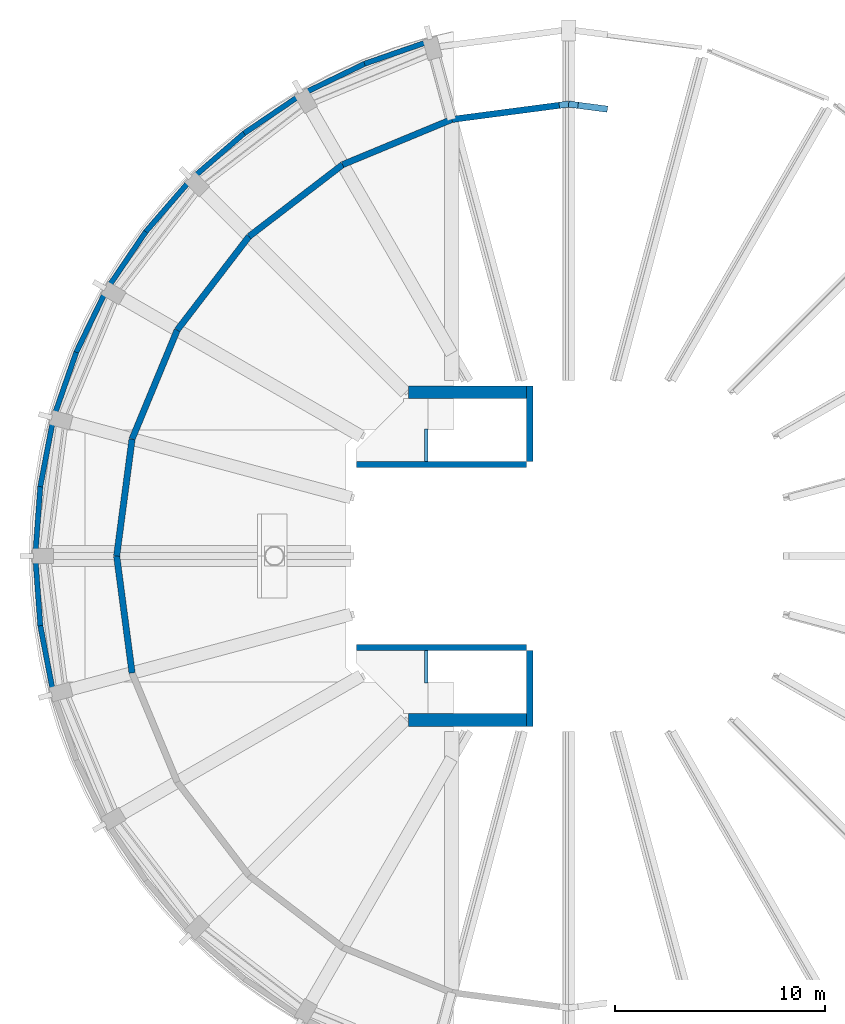
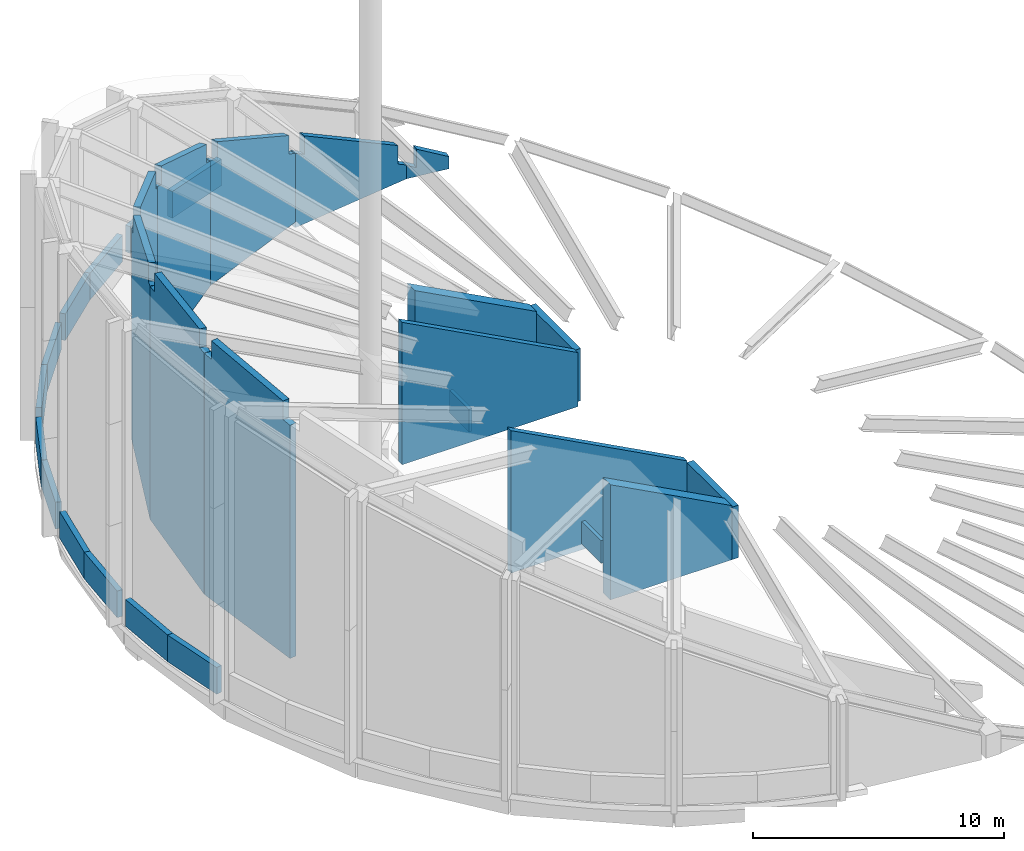
# One storey, part 3 of 4: 28 walls.
"""IFC4 building model written with IfcOpenShell, lengths in metres."""

from ifc_helpers import new_model, si_unit, direction, frame, frame_2d, origin, place, context, subcontext, project, spatial, polyline, rectangle, outline, extrude, material, layer, layer_set, type_object, element, save


model = new_model("IFC4")

# Units and contexts
model_context = context("Model", 3, precision=1e-05, world=origin(), true_north=direction((0.0, 1.0)))
body_context = subcontext(model_context, "Body", "Model", "MODEL_VIEW")
ifc_project = project(units=[si_unit("LENGTHUNIT", "METRE"), si_unit("AREAUNIT", "SQUARE_METRE"), si_unit("VOLUMEUNIT", "CUBIC_METRE"), si_unit("PLANEANGLEUNIT", "RADIAN"), si_unit("MASSUNIT", "GRAM", prefix="KILO")], contexts=[model_context])

# Site, building, storey
site_placement = place(None, origin())
site = spatial("IfcSite", under=ifc_project, at=site_placement, CompositionType="ELEMENT")
building_placement = place(site_placement, origin())
building = spatial("IfcBuilding", under=site, at=building_placement, Name="Torre Triforio", CompositionType="ELEMENT")
storey_placement = place(building_placement, frame((0.0, 0.0, 302.800048828125)))
storey = spatial("IfcBuildingStorey", under=building, at=storey_placement, Name="RF-3", CompositionType="ELEMENT", Elevation=302.800048828125)

# Walls
ifc_material_1 = material(Name="Concrete C40", Category="concrete")
ifc_layer_1 = layer(ifc_material_1, 0.300048828125)
ifc_layer_set_1 = layer_set([ifc_layer_1], Name="Concrete C40")
wall_type_1 = type_object("IfcWallType", Name="Core wall 300 mm C40 EI 120", PredefinedType="SHEAR", material=ifc_layer_set_1)
for number, where, z_axis, x_axis, name in (
    (1, (-1.85009765625, 4.5, -0.280029296875), (0.0, 0.0, 1.0), (0.0, 1.0, 0.0), "Core wall"),
    (2, (-1.85009765625, -8.10009765625, -0.280029296875), (0.0, 0.0, 1.0), (0.0, 1.0, 0.0), "Core wall"),
):
    element("IfcWall", number, at=place(storey_placement, frame(where, z_axis=z_axis, x_axis=x_axis)), inside=storey, type_object=wall_type_1, Name=name, PredefinedType="SHEAR", context=body_context, shape_type="SweptSolid", body=[
        extrude(outline(polyline([(0.0, 0.0), (3.60009765625, 0.0), (3.60009765625, 2.5556640625), (0.0, 2.5556640625), (0.0, 0.0)])), frame((0.0, 0.14990234375, 0.0), z_axis=(0.0, -1.0, 0.0), x_axis=(1.0, 0.0, 0.0)), (0.0, 0.0, 1.0), 0.300048828125),
    ])
ifc_material_2 = material(Name="Limestone cladding", Category="masonry")
ifc_layer_2 = layer(ifc_material_2, 0.080078125)
ifc_layer_3 = layer(ifc_material_1, 0.169921875)
ifc_layer_set_2 = layer_set([ifc_layer_2, ifc_layer_3], Name="Limestone cladding / Concrete C40")
wall_type_2 = type_object("IfcWallType", Name="Crown deck parapet 250", PredefinedType="PARAPET", material=ifc_layer_set_2)
for number, where, z_axis, x_axis, name in (
    (3, (-6.8701171875, 24.4033203125, 0.0), (0.0, 0.0, 1.0), (-0.944652333125, -0.328073116123, 0.0), "Crown deck parapet RF-3 bay 08.1"),
    (4, (-9.693603515625, 23.423828125, 0.0), (0.0, 0.0, 1.0), (-0.899962895244, -0.435966497777, 0.0), "Crown deck parapet RF-3 bay 08.2"),
    (5, (-12.9521484375, 21.793701171875, 0.0), (0.0, 0.0, 1.0), (-0.827586311623, -0.561338486845, 0.0), "Crown deck parapet RF-3 bay 09.1"),
):
    element("IfcWall", number, at=place(storey_placement, frame(where, z_axis=z_axis, x_axis=x_axis)), inside=storey, type_object=wall_type_2, Name=name, PredefinedType="PARAPET", context=body_context, shape_type="SweptSolid", body=[
        extrude(rectangle(XDim=3.0048828125, YDim=0.25, at=frame_2d((1.50244140625, 0.0))), origin(), (0.0, 0.0, 1.0), 1.300048828125),
    ])
for number, where, z_axis, x_axis, name in (
    (6, (-15.42578125, 20.116943359375, 0.0), (0.0, 0.0, 1.0), (-0.756433782763, -0.654070280853, 0.0), "Crown deck parapet RF-3 bay 09.2"),
    (7, (-18.1513671875, 17.698974609375, 0.0), (0.0, 0.0, 1.0), (-0.654070280853, -0.756433782763, 0.0), "Crown deck parapet RF-3 bay 10.1"),
):
    element("IfcWall", number, at=place(storey_placement, frame(where, z_axis=z_axis, x_axis=x_axis)), inside=storey, type_object=wall_type_2, Name=name, PredefinedType="PARAPET", context=body_context, shape_type="SweptSolid", body=[
        extrude(rectangle(XDim=3.005126953125, YDim=0.25, at=frame_2d((1.50244140625, 0.0))), origin(), (0.0, 0.0, 1.0), 1.300048828125),
    ])
for number, where, z_axis, x_axis, name in (
    (8, (-20.10693359375, 15.43896484375, 0.0), (0.0, 0.0, 1.0), (-0.561338486845, -0.827586311623, 0.0), "Crown deck parapet RF-3 bay 10.2"),
    (9, (-22.11376953125, 12.39794921875, 0.0), (0.0, 0.0, 1.0), (-0.435966497777, -0.899962895244, 0.0), "Crown deck parapet RF-3 bay 11.1"),
    (10, (-23.41748046875, 9.708740234375, 0.0), (0.0, 0.0, 1.0), (-0.328073116123, -0.944652333125, 0.0), "Crown deck parapet RF-3 bay 11.2"),
    (11, (-24.569091796875, 6.251953125, 0.0), (0.0, 0.0, 1.0), (-0.188172322974, -0.98213602768, 0.0), "Crown deck parapet RF-3 bay 12.1"),
):
    element("IfcWall", number, at=place(storey_placement, frame(where, z_axis=z_axis, x_axis=x_axis)), inside=storey, type_object=wall_type_2, Name=name, PredefinedType="PARAPET", context=body_context, shape_type="SweptSolid", body=[
        extrude(rectangle(XDim=3.0048828125, YDim=0.25, at=frame_2d((1.50244140625, 0.0))), origin(), (0.0, 0.0, 1.0), 1.300048828125),
    ])
for number, where, z_axis, x_axis, name in (
    (12, (-25.132568359375, 3.31689453125, 0.0), (0.0, 0.0, 1.0), (-0.072396088044, -0.997375960426, 0.0), "Crown deck parapet RF-3 bay 12.2"),
    (13, (-25.35009765625, -0.320068359375, 0.0), (0.0, 0.0, 1.0), (0.072396088044, -0.997375960426, 0.0), "Crown deck parapet RF-3 bay 13.1"),
):
    element("IfcWall", number, at=place(storey_placement, frame(where, z_axis=z_axis, x_axis=x_axis)), inside=storey, type_object=wall_type_2, Name=name, PredefinedType="PARAPET", context=body_context, shape_type="SweptSolid", body=[
        extrude(rectangle(XDim=3.004638671875, YDim=0.25, at=frame_2d((1.50244140625, 0.0))), origin(), (0.0, 0.0, 1.0), 1.300048828125),
    ])
wall_1_placement = place(storey_placement, frame((-25.134521484375, -3.30078125, 0.0), z_axis=(0.0, 0.0, 1.0), x_axis=(0.188172322974, -0.98213602768, 0.0)))
element("IfcWall", 14, at=wall_1_placement, inside=storey, type_object=wall_type_2, Name="Crown deck parapet RF-3 bay 13.2", PredefinedType="PARAPET", context=body_context, shape_type="SweptSolid", body=[
    extrude(rectangle(XDim=3.0048828125, YDim=0.25, at=frame_2d((1.50244140625, 0.0))), origin(), (0.0, 0.0, 1.0), 1.300048828125),
])
ifc_layer_4 = layer(ifc_material_1, 0.14990234375)
ifc_layer_set_3 = layer_set([ifc_layer_4], Name="Concrete C40")
wall_type_3 = type_object("IfcWallType", Name="Parapet 150 C40", PredefinedType="PARAPET", material=ifc_layer_set_3)
for number, where, z_axis, x_axis, name in (
    (15, (-6.77490234375, 4.5, 0.0), (0.0, 0.0, 1.0), (0.0, 1.0, 0.0), "Parapet ST1"),
    (16, (-6.77490234375, -6.050048828125, 0.0), (0.0, 0.0, 1.0), (0.0, 1.0, 0.0), "Parapet ST3"),
):
    element("IfcWall", number, at=place(storey_placement, frame(where, z_axis=z_axis, x_axis=x_axis)), inside=storey, type_object=wall_type_3, Name=name, PredefinedType="PARAPET", context=body_context, shape_type="SweptSolid", body=[
        extrude(rectangle(XDim=1.550048828125, YDim=0.14990234375, at=frame_2d((0.77490234375, 0.0))), origin(), (0.0, 0.0, 1.0), 1.099853515625),
    ])
ifc_layer_5 = layer(ifc_material_1, 0.300048828125)
ifc_layer_set_4 = layer_set([ifc_layer_5], Name="Concrete C40")
wall_type_4 = type_object("IfcWallType", Name="Shaft wall 300 mm C40 EI 120", PredefinedType="SOLIDWALL", material=ifc_layer_set_4)
for number, where, z_axis, x_axis, name in (
    (17, (-10.10009765625, 4.35009765625, -0.280029296875), (0.0, 0.0, 1.0), (1.0, 0.0, 0.0), "Shaft wall"),
    (18, (-10.10009765625, -4.35009765625, -0.280029296875), (0.0, 0.0, 1.0), (1.0, 0.0, 0.0), "Shaft wall"),
):
    element("IfcWall", number, at=place(storey_placement, frame(where, z_axis=z_axis, x_axis=x_axis)), inside=storey, type_object=wall_type_4, Name=name, PredefinedType="SOLIDWALL", context=body_context, shape_type="SweptSolid", body=[
        extrude(outline(polyline([(0.0, 0.0), (8.10009765625, 0.0), (8.10009765625, 2.635498046875), (0.0, 6.9423828125), (0.0, 0.0)])), frame((0.0, 0.14990234375, 0.0), z_axis=(0.0, -1.0, 0.0), x_axis=(1.0, 0.0, 0.0)), (0.0, 0.0, 1.0), 0.300048828125),
    ])
ifc_layer_6 = layer(ifc_material_1, 0.60009765625)
ifc_layer_set_5 = layer_set([ifc_layer_6], Name="Concrete C40")
wall_type_5 = type_object("IfcWallType", Name="Stair wall 600 mm C40 EI 120", PredefinedType="SHEAR", material=ifc_layer_set_5)
for number, where, z_axis, x_axis, name in (
    (19, (-7.610107421875, 7.800048828125, -0.280029296875), (0.0, 0.0, 1.0), (1.0, 0.0, 0.0), "Stair wall"),
    (20, (-7.610107421875, -7.800048828125, -0.280029296875), (0.0, 0.0, 1.0), (1.0, 0.0, 0.0), "Stair wall"),
):
    element("IfcWall", number, at=place(storey_placement, frame(where, z_axis=z_axis, x_axis=x_axis)), inside=storey, type_object=wall_type_5, Name=name, PredefinedType="SHEAR", context=body_context, shape_type="SweptSolid", body=[
        extrude(outline(polyline([(0.0, 0.0), (5.610107421875, 0.0), (5.610107421875, 2.635498046875), (0.0, 5.618408203125), (0.0, 0.0)])), frame((0.0, 0.300048828125, 0.0), z_axis=(0.0, -1.0, 0.0), x_axis=(1.0, 0.0, 0.0)), (0.0, 0.0, 1.0), 0.60009765625),
    ])
ifc_layer_7 = layer(ifc_material_2, 0.10009765625)
ifc_layer_8 = layer(ifc_material_1, 0.199951171875)
ifc_layer_set_6 = layer_set([ifc_layer_7, ifc_layer_8], Name="Limestone cladding / Concrete C40")
wall_type_6 = type_object("IfcWallType", Name="Stone-faced composite wall 300", PredefinedType="STANDARD", material=ifc_layer_set_6)
wall_2_placement = place(storey_placement, frame((-5.564697265625, 20.767333984375, 0.0), z_axis=(0.0, 0.0, 1.0), x_axis=(-0.92387156362, -0.382702670405, 0.0)))
element("IfcWall", 21, at=wall_2_placement, inside=storey, type_object=wall_type_6, Name="Crown wall RF-3 bay 08", PredefinedType="STANDARD", context=body_context, shape_type="SweptSolid", body=[
    extrude(outline(polyline([(0.0, 0.0), (5.612548828125, 0.0), (5.612548828125, 6.081298828125), (5.16259765625, 5.8603515625), (5.16064453125, 6.76220703125), (0.451904296875, 4.44921875), (0.449951171875, 3.545166015625), (0.0, 3.32421875), (0.0, 0.0)])), frame((0.0, 0.14990234375, 0.0), z_axis=(0.0, -1.0, 0.0), x_axis=(1.0, 0.0, 0.0)), (0.0, 0.0, 1.0), 0.300048828125),
])
wall_3_placement = place(storey_placement, frame((-10.75, 18.619384765625, 0.0), z_axis=(0.0, 0.0, 1.0), x_axis=(-0.793380165925, -0.608726467567, 0.0)))
element("IfcWall", 22, at=wall_3_placement, inside=storey, type_object=wall_type_6, Name="Crown wall RF-3 bay 09", PredefinedType="STANDARD", context=body_context, shape_type="SweptSolid", body=[
    extrude(outline(polyline([(0.0, 0.0), (5.612548828125, 0.0), (5.612548828125, 8.430908203125), (5.16259765625, 8.240966796875), (5.16064453125, 9.143310546875), (0.451904296875, 7.156982421875), (0.449951171875, 6.253173828125), (0.0, 6.063232421875), (0.0, 0.0)])), frame((0.0, 0.14990234375, 0.0), z_axis=(0.0, -1.0, 0.0), x_axis=(1.0, 0.0, 0.0)), (0.0, 0.0, 1.0), 0.300048828125),
])
wall_4_placement = place(storey_placement, frame((-15.202880859375, 15.202880859375, 0.0), z_axis=(0.0, 0.0, 1.0), x_axis=(-0.608726467567, -0.793380165925, 0.0)))
element("IfcWall", 23, at=wall_4_placement, inside=storey, type_object=wall_type_6, Name="Crown wall RF-3 bay 10", PredefinedType="STANDARD", context=body_context, shape_type="SweptSolid", body=[
    extrude(outline(polyline([(0.0, 0.0), (5.612548828125, 0.0), (5.612548828125, 10.23291015625), (5.16259765625, 10.087158203125), (5.16064453125, 10.989501953125), (0.451904296875, 9.46533203125), (0.449951171875, 8.561767578125), (0.0, 8.416259765625), (0.0, 0.0)])), frame((0.0, 0.14990234375, 0.0), z_axis=(0.0, -1.0, 0.0), x_axis=(1.0, 0.0, 0.0)), (0.0, 0.0, 1.0), 0.300048828125),
])
wall_5_placement = place(storey_placement, frame((-18.619384765625, 10.75, 0.0), z_axis=(0.0, 0.0, 1.0), x_axis=(-0.382702670405, -0.92387156362, 0.0)))
element("IfcWall", 24, at=wall_5_placement, inside=storey, type_object=wall_type_6, Name="Crown wall RF-3 bay 11", PredefinedType="STANDARD", context=body_context, shape_type="SweptSolid", body=[
    extrude(outline(polyline([(0.0, 0.0), (5.612548828125, 0.0), (5.612548828125, 11.364501953125), (5.16259765625, 11.27294921875), (5.16064453125, 12.175537109375), (0.451904296875, 11.217529296875), (0.449951171875, 10.31396484375), (0.0, 10.222412109375), (0.0, 0.0)])), frame((0.0, 0.14990234375, 0.0), z_axis=(0.0, -1.0, 0.0), x_axis=(1.0, 0.0, 0.0)), (0.0, 0.0, 1.0), 0.300048828125),
])
wall_6_placement = place(storey_placement, frame((-20.767333984375, 5.564697265625, 0.0), z_axis=(0.0, 0.0, 1.0), x_axis=(-0.130536651449, -0.991443484334, 0.0)))
element("IfcWall", 25, at=wall_6_placement, inside=storey, type_object=wall_type_6, Name="Crown wall RF-3 bay 12", PredefinedType="STANDARD", context=body_context, shape_type="SweptSolid", body=[
    extrude(outline(polyline([(0.0, 0.0), (5.61279296875, 0.0), (5.612548828125, 11.74853515625), (5.16259765625, 11.717529296875), (5.16064453125, 12.620361328125), (0.451904296875, 12.29345703125), (0.449951171875, 11.390380859375), (0.0, 11.359130859375), (0.0, 0.0)])), frame((0.0, 0.14990234375, 0.0), z_axis=(0.0, -1.0, 0.0), x_axis=(1.0, 0.0, 0.0)), (0.0, 0.0, 1.0), 0.300048828125),
])
wall_7_placement = place(storey_placement, frame((-21.5, 0.0, 0.0), z_axis=(0.0, 0.0, 1.0), x_axis=(0.130536651449, -0.991443484334, 0.0)))
element("IfcWall", 26, at=wall_7_placement, inside=storey, type_object=wall_type_6, Name="Crown wall RF-3 bay 13", PredefinedType="STANDARD", context=body_context, shape_type="SweptSolid", body=[
    extrude(outline(polyline([(0.0, 0.0), (5.61279296875, 0.0), (5.612548828125, 11.359130859375), (5.16259765625, 11.390380859375), (5.16064453125, 12.29345703125), (0.451904296875, 12.620361328125), (0.449951171875, 11.717529296875), (0.0, 11.74853515625), (0.0, 0.0)])), frame((0.0, 0.14990234375, 0.0), z_axis=(0.0, -1.0, 0.0), x_axis=(1.0, 0.0, 0.0)), (0.0, 0.0, 1.0), 0.300048828125),
])
wall_8_placement = place(storey_placement, frame((1.846923828125, 21.2568359375, -0.280029296875), z_axis=(0.0, 0.0, 1.0), x_axis=(-0.991444032761, 0.130532486005, 0.0)))
element("IfcWall", 27, at=wall_8_placement, inside=storey, type_object=wall_type_6, Name="Crown wall RF-3 bay 06 east", PredefinedType="STANDARD", context=body_context, shape_type="SweptSolid", body=[
    extrude(outline(polyline([(0.0, 0.0), (1.86279296875, 0.0), (1.86279296875, 0.66552734375), (1.412841796875, 0.428466796875), (1.410888671875, 1.330322265625), (0.0, 0.586669921875), (0.0, 0.0)])), frame((0.0, 0.14990234375, 0.0), z_axis=(0.0, -1.0, 0.0), x_axis=(1.0, 0.0, 0.0)), (0.0, 0.0, 1.0), 0.300048828125),
])
wall_9_placement = place(storey_placement, frame((0.0, 21.5, -0.280029296875), z_axis=(0.0, 0.0, 1.0), x_axis=(-0.991443484334, -0.130536651449, 0.0)))
element("IfcWall", 28, at=wall_9_placement, inside=storey, type_object=wall_type_6, Name="Crown wall RF-3 bay 07 east", PredefinedType="STANDARD", context=body_context, shape_type="SweptSolid", body=[
    extrude(outline(polyline([(0.0, 0.0), (5.61279296875, 0.0), (5.612548828125, 3.624267578125), (5.16259765625, 3.38720703125), (5.16064453125, 4.2890625), (0.451904296875, 1.806884765625), (0.449951171875, 0.90283203125), (0.0, 0.66552734375), (0.0, 0.0)])), frame((0.0, 0.14990234375, 0.0), z_axis=(0.0, -1.0, 0.0), x_axis=(1.0, 0.0, 0.0)), (0.0, 0.0, 1.0), 0.300048828125),
])

save(model, "model.ifc")
